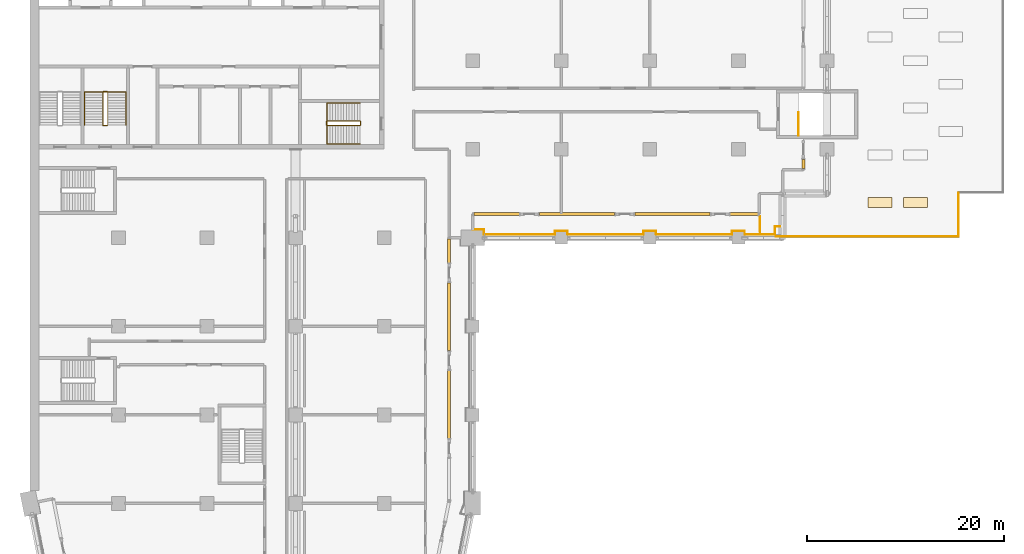
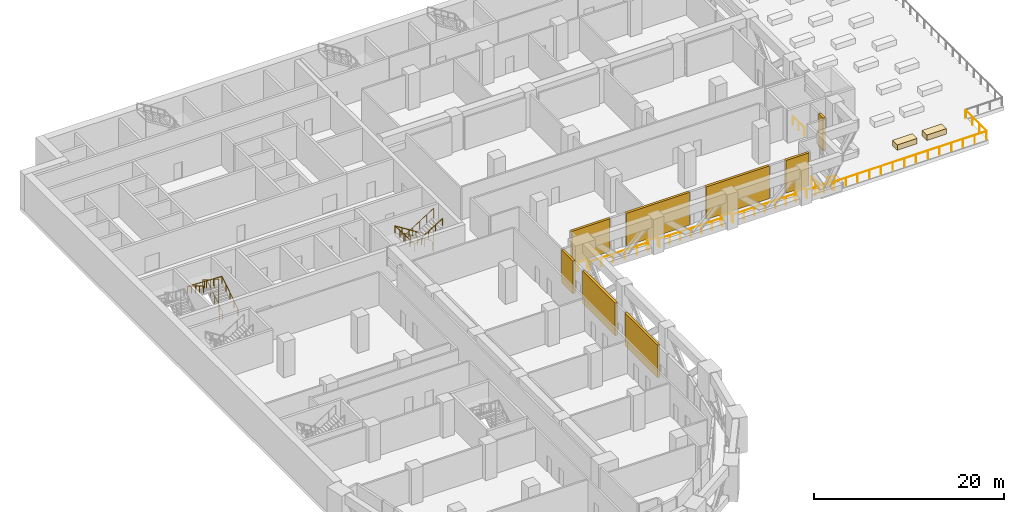
# One storey, part 22 of 24: 9 railings, 8 shading devices, 2 coverings.
"""IFC4 building model written with IfcOpenShell, lengths in metres."""

from ifc_helpers import new_model, si_unit, direction, frame, origin, origin_2d, place, context, subcontext, project, spatial, polyline, rectangle, circle, outline, extrude, material, layer, layer_set, type_object, element, save


model = new_model("IFC4")

# Units and contexts
model_context = context("Model", 3, precision=1e-05, world=origin(), true_north=direction((0.0, 1.0)))
body_context = subcontext(model_context, "Body", "Model", "MODEL_VIEW")
ifc_project = project(units=[si_unit("LENGTHUNIT", "METRE"), si_unit("AREAUNIT", "SQUARE_METRE"), si_unit("VOLUMEUNIT", "CUBIC_METRE"), si_unit("PLANEANGLEUNIT", "RADIAN"), si_unit("MASSUNIT", "GRAM", prefix="KILO")], contexts=[model_context])

# Site, building, storey
site_placement = place(None, origin())
site = spatial("IfcSite", under=ifc_project, at=site_placement, CompositionType="ELEMENT")
building_placement = place(site_placement, origin())
building = spatial("IfcBuilding", under=site, at=building_placement, Name="Hunhe Ridgeline Campus", CompositionType="ELEMENT")
storey_placement = place(building_placement, frame((0.0, 0.0, 80.199951171875)))
storey = spatial("IfcBuildingStorey", under=building, at=storey_placement, Name="L19", CompositionType="ELEMENT", Elevation=80.199951171875)

# Railings
ifc_material_1 = material(Name="Steel Q355", Category="steel")
railing_type_1 = type_object("IfcRailingType", Name="Loggia guard 1100 Steel Q355", PredefinedType="GUARDRAIL", material=ifc_material_1)
railing_1_placement = place(storey_placement, frame((45.0, 54.820068359375, 0.0)))
element("IfcRailing", 1, at=railing_1_placement, inside=storey, type_object=railing_type_1, Name="Loggia guard 2", PredefinedType="GUARDRAIL", context=body_context, shape_type="SweptSolid", body=[
    extrude(circle(Radius=0.02392578125, at=origin_2d()), frame((0.0, 0.0, 1.076171875), z_axis=(1.0, 0.0, 0.0), x_axis=(0.0, 1.0, 0.0)), (0.0, 0.0, 1.0), 1.14990234375),
    extrude(circle(Radius=0.02392578125, at=origin_2d()), frame((1.14990234375, 0.0, 1.076171875), z_axis=(0.0, -1.0, 0.0), x_axis=(1.0, 0.0, 0.0)), (0.0, 0.0, 1.0), 0.469970703125),
    extrude(circle(Radius=0.02392578125, at=origin_2d()), frame((1.14990234375, -0.469970703125, 1.076171875), z_axis=(1.0, 0.0, 0.0), x_axis=(0.0, 1.0, 0.0)), (0.0, 0.0, 1.0), 7.2001953125),
    extrude(circle(Radius=0.02392578125, at=origin_2d()), frame((8.35009765625, -0.469970703125, 1.076171875), z_axis=(0.0, 1.0, 0.0), x_axis=(-1.0, 0.0, 0.0)), (0.0, 0.0, 1.0), 0.31982421875),
    extrude(circle(Radius=0.02392578125, at=origin_2d()), frame((8.35009765625, -0.150146484375, 1.076171875), z_axis=(1.0, 0.0, 0.0), x_axis=(0.0, 1.0, 0.0)), (0.0, 0.0, 1.0), 1.2998046875),
    extrude(circle(Radius=0.02392578125, at=origin_2d()), frame((9.64990234375, -0.150146484375, 1.076171875), z_axis=(0.0, -1.0, 0.0), x_axis=(1.0, 0.0, 0.0)), (0.0, 0.0, 1.0), 0.31982421875),
    extrude(circle(Radius=0.02392578125, at=origin_2d()), frame((9.64990234375, -0.469970703125, 1.076171875), z_axis=(1.0, 0.0, 0.0), x_axis=(0.0, 1.0, 0.0)), (0.0, 0.0, 1.0), 7.7001953125),
    extrude(circle(Radius=0.02392578125, at=origin_2d()), frame((17.35009765625, -0.469970703125, 1.076171875), z_axis=(0.0, 1.0, 0.0), x_axis=(-1.0, 0.0, 0.0)), (0.0, 0.0, 1.0), 0.31982421875),
    extrude(circle(Radius=0.02392578125, at=origin_2d()), frame((17.35009765625, -0.150146484375, 1.076171875), z_axis=(1.0, 0.0, 0.0), x_axis=(0.0, 1.0, 0.0)), (0.0, 0.0, 1.0), 1.2998046875),
    extrude(circle(Radius=0.02392578125, at=origin_2d()), frame((18.64990234375, -0.150146484375, 1.076171875), z_axis=(0.0, -1.0, 0.0), x_axis=(1.0, 0.0, 0.0)), (0.0, 0.0, 1.0), 0.31982421875),
    extrude(circle(Radius=0.02392578125, at=origin_2d()), frame((18.64990234375, -0.469970703125, 1.076171875), z_axis=(1.0, 0.0, 0.0), x_axis=(0.0, 1.0, 0.0)), (0.0, 0.0, 1.0), 7.7001953125),
    extrude(circle(Radius=0.02392578125, at=origin_2d()), frame((26.35009765625, -0.469970703125, 1.076171875), z_axis=(0.0, 1.0, 0.0), x_axis=(-1.0, 0.0, 0.0)), (0.0, 0.0, 1.0), 0.31982421875),
    extrude(circle(Radius=0.02392578125, at=origin_2d()), frame((26.35009765625, -0.150146484375, 1.076171875), z_axis=(1.0, 0.0, 0.0), x_axis=(0.0, 1.0, 0.0)), (0.0, 0.0, 1.0), 1.2998046875),
    extrude(circle(Radius=0.02392578125, at=origin_2d()), frame((27.64990234375, -0.150146484375, 1.076171875), z_axis=(0.0, -1.0, 0.0), x_axis=(1.0, 0.0, 0.0)), (0.0, 0.0, 1.0), 0.31982421875),
    extrude(circle(Radius=0.02392578125, at=origin_2d()), frame((27.64990234375, -0.469970703125, 1.076171875), z_axis=(1.0, 0.0, 0.0), x_axis=(0.0, 1.0, 0.0)), (0.0, 0.0, 1.0), 3.050048828125),
    extrude(circle(Radius=0.02392578125, at=origin_2d()), frame((30.699951171875, -0.469970703125, 1.076171875), z_axis=(0.0, 1.0, 0.0), x_axis=(-1.0, 0.0, 0.0)), (0.0, 0.0, 1.0), 0.81982421875),
    extrude(circle(Radius=0.02392578125, at=origin_2d()), frame((30.699951171875, 0.349853515625, 1.076171875), z_axis=(1.0, 0.0, 0.0), x_axis=(0.0, 1.0, 0.0)), (0.0, 0.0, 1.0), 0.800048828125),
    extrude(circle(Radius=0.02099609375, at=origin_2d()), origin(), (0.0, 0.0, 1.0), 1.052001953125),
    extrude(circle(Radius=0.02099609375, at=origin_2d()), frame((1.14990234375, 0.0, 0.0)), (0.0, 0.0, 1.0), 1.052001953125),
    extrude(circle(Radius=0.02099609375, at=origin_2d()), frame((1.14990234375, -0.469970703125, 0.0)), (0.0, 0.0, 1.0), 1.052001953125),
    extrude(circle(Radius=0.02099609375, at=origin_2d()), frame((2.58984375, -0.469970703125, 0.0)), (0.0, 0.0, 1.0), 1.052001953125),
    extrude(circle(Radius=0.02099609375, at=origin_2d()), frame((4.030029296875, -0.469970703125, 0.0)), (0.0, 0.0, 1.0), 1.052001953125),
    extrude(circle(Radius=0.02099609375, at=origin_2d()), frame((5.469970703125, -0.469970703125, 0.0)), (0.0, 0.0, 1.0), 1.052001953125),
    extrude(circle(Radius=0.02099609375, at=origin_2d()), frame((6.91015625, -0.469970703125, 0.0)), (0.0, 0.0, 1.0), 1.052001953125),
    extrude(circle(Radius=0.02099609375, at=origin_2d()), frame((8.35009765625, -0.469970703125, 0.0)), (0.0, 0.0, 1.0), 1.052001953125),
    extrude(circle(Radius=0.02099609375, at=origin_2d()), frame((8.35009765625, -0.150146484375, 0.0)), (0.0, 0.0, 1.0), 1.052001953125),
    extrude(circle(Radius=0.02099609375, at=origin_2d()), frame((9.64990234375, -0.150146484375, 0.0)), (0.0, 0.0, 1.0), 1.052001953125),
    extrude(circle(Radius=0.02099609375, at=origin_2d()), frame((9.64990234375, -0.469970703125, 0.0)), (0.0, 0.0, 1.0), 1.052001953125),
    extrude(circle(Radius=0.02099609375, at=origin_2d()), frame((10.933349609375, -0.469970703125, 0.0)), (0.0, 0.0, 1.0), 1.052001953125),
    extrude(circle(Radius=0.02099609375, at=origin_2d()), frame((12.216552734375, -0.469970703125, 0.0)), (0.0, 0.0, 1.0), 1.052001953125),
    extrude(circle(Radius=0.02099609375, at=origin_2d()), frame((13.5, -0.469970703125, 0.0)), (0.0, 0.0, 1.0), 1.052001953125),
    extrude(circle(Radius=0.02099609375, at=origin_2d()), frame((14.783447265625, -0.469970703125, 0.0)), (0.0, 0.0, 1.0), 1.052001953125),
    extrude(circle(Radius=0.02099609375, at=origin_2d()), frame((16.066650390625, -0.469970703125, 0.0)), (0.0, 0.0, 1.0), 1.052001953125),
    extrude(circle(Radius=0.02099609375, at=origin_2d()), frame((17.35009765625, -0.469970703125, 0.0)), (0.0, 0.0, 1.0), 1.052001953125),
    extrude(circle(Radius=0.02099609375, at=origin_2d()), frame((17.35009765625, -0.150146484375, 0.0)), (0.0, 0.0, 1.0), 1.052001953125),
    extrude(circle(Radius=0.02099609375, at=origin_2d()), frame((18.64990234375, -0.150146484375, 0.0)), (0.0, 0.0, 1.0), 1.052001953125),
    extrude(circle(Radius=0.02099609375, at=origin_2d()), frame((18.64990234375, -0.469970703125, 0.0)), (0.0, 0.0, 1.0), 1.052001953125),
    extrude(circle(Radius=0.02099609375, at=origin_2d()), frame((19.933349609375, -0.469970703125, 0.0)), (0.0, 0.0, 1.0), 1.052001953125),
    extrude(circle(Radius=0.02099609375, at=origin_2d()), frame((21.216552734375, -0.469970703125, 0.0)), (0.0, 0.0, 1.0), 1.052001953125),
    extrude(circle(Radius=0.02099609375, at=origin_2d()), frame((22.5, -0.469970703125, 0.0)), (0.0, 0.0, 1.0), 1.052001953125),
    extrude(circle(Radius=0.02099609375, at=origin_2d()), frame((23.783447265625, -0.469970703125, 0.0)), (0.0, 0.0, 1.0), 1.052001953125),
    extrude(circle(Radius=0.02099609375, at=origin_2d()), frame((25.066650390625, -0.469970703125, 0.0)), (0.0, 0.0, 1.0), 1.052001953125),
    extrude(circle(Radius=0.02099609375, at=origin_2d()), frame((26.35009765625, -0.469970703125, 0.0)), (0.0, 0.0, 1.0), 1.052001953125),
    extrude(circle(Radius=0.02099609375, at=origin_2d()), frame((26.35009765625, -0.150146484375, 0.0)), (0.0, 0.0, 1.0), 1.052001953125),
    extrude(circle(Radius=0.02099609375, at=origin_2d()), frame((27.64990234375, -0.150146484375, 0.0)), (0.0, 0.0, 1.0), 1.052001953125),
    extrude(circle(Radius=0.02099609375, at=origin_2d()), frame((27.64990234375, -0.469970703125, 0.0)), (0.0, 0.0, 1.0), 1.052001953125),
    extrude(circle(Radius=0.02099609375, at=origin_2d()), frame((28.66650390625, -0.469970703125, 0.0)), (0.0, 0.0, 1.0), 1.052001953125),
    extrude(circle(Radius=0.02099609375, at=origin_2d()), frame((29.683349609375, -0.469970703125, 0.0)), (0.0, 0.0, 1.0), 1.052001953125),
    extrude(circle(Radius=0.02099609375, at=origin_2d()), frame((30.699951171875, -0.469970703125, 0.0)), (0.0, 0.0, 1.0), 1.052001953125),
    extrude(circle(Radius=0.02099609375, at=origin_2d()), frame((30.699951171875, 0.349853515625, 0.0)), (0.0, 0.0, 1.0), 1.052001953125),
    extrude(circle(Radius=0.02099609375, at=origin_2d()), frame((31.5, 0.349853515625, 0.0)), (0.0, 0.0, 1.0), 1.052001953125),
])
railing_2_placement = place(storey_placement, frame((74.219970703125, 54.60009765625, 0.080078125)))
element("IfcRailing", 2, at=railing_2_placement, inside=storey, type_object=railing_type_1, Name="Terrace guard 1", PredefinedType="GUARDRAIL", context=body_context, shape_type="SweptSolid", body=[
    extrude(circle(Radius=0.02392578125, at=origin_2d()), frame((0.0, 0.0, 1.076171875), z_axis=(0.0, 1.0, 0.0), x_axis=(-1.0, 0.0, 0.0)), (0.0, 0.0, 1.0), 1.55078125),
    extrude(circle(Radius=0.02099609375, at=origin_2d()), origin(), (0.0, 0.0, 1.0), 1.052001953125),
    extrude(circle(Radius=0.02099609375, at=origin_2d()), frame((0.0, 0.775390625, 0.0)), (0.0, 0.0, 1.0), 1.052001953125),
    extrude(circle(Radius=0.02099609375, at=origin_2d()), frame((0.0, 1.55078125, 0.0)), (0.0, 0.0, 1.0), 1.052001953125),
])
railing_3_placement = place(storey_placement, frame((94.38037109375, 58.57958984375, 0.080078125)))
element("IfcRailing", 3, at=railing_3_placement, inside=storey, type_object=railing_type_1, Name="Terrace guard 7", PredefinedType="GUARDRAIL", context=body_context, shape_type="SweptSolid", body=[
    extrude(circle(Radius=0.02392578125, at=origin_2d()), frame((0.0, 0.0, 1.076171875), z_axis=(-0.000110478925, -0.999999993897, 0.0), x_axis=(0.999999993897, -0.000110478925, 0.0)), (0.0, 0.0, 1.0), 4.419677734375),
    extrude(circle(Radius=0.02099609375, at=origin_2d()), origin(), (0.0, 0.0, 1.0), 1.052001953125),
    extrude(circle(Radius=0.02099609375, at=origin_2d()), frame((-0.000244140625, -1.47314453125, 0.0)), (0.0, 0.0, 1.0), 1.052001953125),
    extrude(circle(Radius=0.02099609375, at=origin_2d()), frame((-0.000244140625, -2.946533203125, 0.0)), (0.0, 0.0, 1.0), 1.052001953125),
    extrude(circle(Radius=0.02099609375, at=origin_2d()), frame((-0.00048828125, -4.419677734375, 0.0)), (0.0, 0.0, 1.0), 1.052001953125),
])
railing_4_placement = place(storey_placement, frame((94.340087890625, 54.1201171875, 0.080078125)))
element("IfcRailing", 4, at=railing_4_placement, inside=storey, type_object=railing_type_1, Name="Terrace guard 8", PredefinedType="GUARDRAIL", context=body_context, shape_type="SweptSolid", body=[
    extrude(circle(Radius=0.02392578125, at=origin_2d()), frame((0.0, 0.0, 1.076171875), z_axis=(-1.0, 0.0, 0.0), x_axis=(0.0, -1.0, 0.0)), (0.0, 0.0, 1.0), 18.54248046875),
    extrude(circle(Radius=0.02099609375, at=origin_2d()), origin(), (0.0, 0.0, 1.0), 1.052001953125),
    extrude(circle(Radius=0.02099609375, at=origin_2d()), frame((-1.42626953125, 0.0, 0.0)), (0.0, 0.0, 1.0), 1.052001953125),
    extrude(circle(Radius=0.02099609375, at=origin_2d()), frame((-2.852783203125, 0.0, 0.0)), (0.0, 0.0, 1.0), 1.052001953125),
    extrude(circle(Radius=0.02099609375, at=origin_2d()), frame((-4.279052734375, 0.0, 0.0)), (0.0, 0.0, 1.0), 1.052001953125),
    extrude(circle(Radius=0.02099609375, at=origin_2d()), frame((-5.705322265625, 0.0, 0.0)), (0.0, 0.0, 1.0), 1.052001953125),
    extrude(circle(Radius=0.02099609375, at=origin_2d()), frame((-7.1318359375, 0.0, 0.0)), (0.0, 0.0, 1.0), 1.052001953125),
    extrude(circle(Radius=0.02099609375, at=origin_2d()), frame((-8.55810546875, 0.0, 0.0)), (0.0, 0.0, 1.0), 1.052001953125),
    extrude(circle(Radius=0.02099609375, at=origin_2d()), frame((-9.984375, 0.0, 0.0)), (0.0, 0.0, 1.0), 1.052001953125),
    extrude(circle(Radius=0.02099609375, at=origin_2d()), frame((-11.41064453125, 0.0, 0.0)), (0.0, 0.0, 1.0), 1.052001953125),
    extrude(circle(Radius=0.02099609375, at=origin_2d()), frame((-12.837158203125, 0.0, 0.0)), (0.0, 0.0, 1.0), 1.052001953125),
    extrude(circle(Radius=0.02099609375, at=origin_2d()), frame((-14.263427734375, 0.0, 0.0)), (0.0, 0.0, 1.0), 1.052001953125),
    extrude(circle(Radius=0.02099609375, at=origin_2d()), frame((-15.689697265625, 0.0, 0.0)), (0.0, 0.0, 1.0), 1.052001953125),
    extrude(circle(Radius=0.02099609375, at=origin_2d()), frame((-17.1162109375, 0.0, 0.0)), (0.0, 0.0, 1.0), 1.052001953125),
    extrude(circle(Radius=0.02099609375, at=origin_2d()), frame((-18.54248046875, 0.0, 0.0)), (0.0, 0.0, 1.0), 1.052001953125),
])

# Shading devices
ifc_material_2 = material(Name="Aluminium 6063", Category="aluminium")
ifc_layer = layer(ifc_material_2, 0.300048828125)
ifc_layer_set = layer_set([ifc_layer], Name="Louvre bank 300 Aluminium 6063")
shading_device_type = type_object("IfcShadingDeviceType", Name="Louvre bank 300 Aluminium 6063", PredefinedType="USERDEFINED", material=ifc_layer_set)
for number, where, z_axis, x_axis, name in (
    (5, (42.59912109375, 37.057861328125, 0.0), (0.0, 0.0, 1.0), (1.0952884e-05, 0.99999999994, 0.0), "Louvre bank 18"),
    (6, (42.59912109375, 45.979248046875, 0.0), (0.0, 0.0, 1.0), (1.0952884e-05, 0.99999999994, 0.0), "Louvre bank 19"),
):
    element("IfcShadingDevice", number, at=place(storey_placement, frame(where, z_axis=z_axis, x_axis=x_axis)), inside=storey, type_object=shading_device_type, Name=name, ObjectType="LOUVRE", PredefinedType="USERDEFINED", context=body_context, shape_type="SweptSolid", body=[
        extrude(rectangle(XDim=6.88134765625, YDim=0.300048828125, at=origin_2d()), origin(), (0.0, 0.0, 1.0), 4.199951171875),
    ])
shading_device_1_placement = place(storey_placement, frame((42.599365234375, 52.67041015625, 0.0), z_axis=(0.0, 0.0, 1.0), x_axis=(1.0899372e-05, 0.999999999941, 0.0)))
element("IfcShadingDevice", 7, at=shading_device_1_placement, inside=storey, type_object=shading_device_type, Name="Louvre bank 20", ObjectType="LOUVRE", PredefinedType="USERDEFINED", context=body_context, shape_type="SweptSolid", body=[
    extrude(rectangle(XDim=2.420654296875, YDim=0.300048828125, at=origin_2d()), origin(), (0.0, 0.0, 1.0), 4.199951171875),
])
shading_device_2_placement = place(storey_placement, frame((47.4248046875, 56.40087890625, 0.0), z_axis=(0.0, 0.0, 1.0), x_axis=(1.0, 2.06193e-07, 0.0)))
element("IfcShadingDevice", 8, at=shading_device_2_placement, inside=storey, type_object=shading_device_type, Name="Louvre bank 21", ObjectType="LOUVRE", PredefinedType="USERDEFINED", context=body_context, shape_type="SweptSolid", body=[
    extrude(rectangle(XDim=4.60986328125, YDim=0.300048828125, at=origin_2d()), origin(), (0.0, 0.0, 1.0), 4.199951171875),
])
for number, where, z_axis, x_axis, name in (
    (9, (55.599609375, 56.40087890625, 0.0), (0.0, 0.0, 1.0), (1.0, 2.53177e-07, 0.0), "Louvre bank 22"),
    (10, (65.29931640625, 56.40087890625, 0.0), (0.0, 0.0, 1.0), (1.0, 1.26589e-07, 0.0), "Louvre bank 23"),
):
    element("IfcShadingDevice", number, at=place(storey_placement, frame(where, z_axis=z_axis, x_axis=x_axis)), inside=storey, type_object=shading_device_type, Name=name, ObjectType="LOUVRE", PredefinedType="USERDEFINED", context=body_context, shape_type="SweptSolid", body=[
        extrude(rectangle(XDim=7.65966796875, YDim=0.300048828125, at=origin_2d()), origin(), (0.0, 0.0, 1.0), 4.199951171875),
    ])
shading_device_3_placement = place(storey_placement, frame((72.573974609375, 56.40087890625, 0.0), z_axis=(0.0, 0.0, 1.0), x_axis=(1.0, 3.27878e-07, 0.0)))
element("IfcShadingDevice", 11, at=shading_device_3_placement, inside=storey, type_object=shading_device_type, Name="Louvre bank 24", ObjectType="LOUVRE", PredefinedType="USERDEFINED", context=body_context, shape_type="SweptSolid", body=[
    extrude(rectangle(XDim=2.809814453125, YDim=0.300048828125, at=origin_2d()), origin(), (0.0, 0.0, 1.0), 4.199951171875),
])
shading_device_4_placement = place(storey_placement, frame((78.59912109375, 61.5009765625, 0.0), z_axis=(0.0, 0.0, 1.0), x_axis=(0.0, 1.0, 0.0)))
element("IfcShadingDevice", 12, at=shading_device_4_placement, inside=storey, type_object=shading_device_type, Name="Louvre bank 25", ObjectType="LOUVRE", PredefinedType="USERDEFINED", context=body_context, shape_type="SweptSolid", body=[
    extrude(rectangle(XDim=0.9599609375, YDim=0.300048828125, at=origin_2d()), origin(), (0.0, 0.0, 1.0), 4.199951171875),
])

# Coverings
ifc_material_3 = material(Name="Planting soil")
covering_type = type_object("IfcCoveringType", Name="Planter box 700 planting soil", PredefinedType="USERDEFINED", material=ifc_material_3)
covering_1_placement = place(storey_placement, frame((0.0, 0.0, 0.080078125)))
element("IfcCovering", 13, at=covering_1_placement, inside=storey, type_object=covering_type, Name="Planter 1", ObjectType="PLANTER", PredefinedType="USERDEFINED", context=body_context, shape_type="SweptSolid", body=[
    extrude(outline(polyline([(85.199951171875, 57.10009765625), (87.60009765625, 57.10009765625), (87.60009765625, 58.10009765625), (85.199951171875, 58.10009765625), (85.199951171875, 57.10009765625)])), origin(), (0.0, 0.0, 1.0), 0.699951171875),
])
covering_2_placement = place(storey_placement, frame((0.0, 0.0, 0.080078125)))
element("IfcCovering", 14, at=covering_2_placement, inside=storey, type_object=covering_type, Name="Planter 7", ObjectType="PLANTER", PredefinedType="USERDEFINED", context=body_context, shape_type="SweptSolid", body=[
    extrude(outline(polyline([(88.800048828125, 57.10009765625), (91.199951171875, 57.10009765625), (91.199951171875, 58.10009765625), (88.800048828125, 58.10009765625), (88.800048828125, 57.10009765625)])), origin(), (0.0, 0.0, 1.0), 0.699951171875),
])

# Railings
ifc_material_4 = material(Name="Stainless steel balustrade", Category="steel")
railing_type_2 = type_object("IfcRailingType", Name="Stair guard 1100 stainless", PredefinedType="GUARDRAIL", material=ifc_material_4)
railing_5_placement = place(storey_placement, frame((33.550048828125, 65.85009765625, 0.177001953125)))
element("IfcRailing", 15, at=railing_5_placement, inside=storey, type_object=railing_type_2, Name="L19 stair S2 guard", PredefinedType="GUARDRAIL", context=body_context, shape_type="SweptSolid", body=[
    extrude(circle(Radius=0.02392578125, at=origin_2d()), frame((0.0, 0.0, 1.076171875), z_axis=(-0.845389635667, 0.0, 0.534150132366), x_axis=(0.0, -1.0, 0.0)), (0.0, 0.0, 1.0), 3.974609375),
    extrude(circle(Radius=0.02392578125, at=origin_2d()), frame((-3.360107421875, 0.0, 3.19921875), z_axis=(-0.707106781187, -0.707106781187, 0.0), x_axis=(0.707106781187, -0.707106781187, 0.0)), (0.0, 0.0, 1.0), 0.07080078125),
    extrude(circle(Radius=0.02392578125, at=origin_2d()), frame((-3.41015625, -0.050048828125, 3.19921875), z_axis=(0.0, -1.0, 0.0), x_axis=(1.0, 0.0, 0.0)), (0.0, 0.0, 1.0), 0.35009765625),
    extrude(circle(Radius=0.02392578125, at=origin_2d()), frame((-3.41015625, -0.400146484375, 3.19921875), z_axis=(0.262545553595, -0.262545553595, 0.928514762713), x_axis=(0.707106781187, 0.707106781187, 0.0)), (0.0, 0.0, 1.0), 0.190673828125),
    extrude(circle(Radius=0.02392578125, at=origin_2d()), frame((-3.360107421875, -0.4501953125, 3.3759765625), z_axis=(0.845389635667, 0.0, 0.534150132366), x_axis=(0.0, 1.0, 0.0)), (0.0, 0.0, 1.0), 3.974609375),
    extrude(circle(Radius=0.02392578125, at=origin_2d()), frame((0.0, -0.4501953125, 5.4990234375), z_axis=(0.010878661383, 0.010878661383, -0.999881647723), x_axis=(-0.707106781187, 0.707106781187, 0.0)), (0.0, 0.0, 1.0), 4.6005859375),
    extrude(circle(Radius=0.02392578125, at=origin_2d()), frame((0.050048828125, -0.400146484375, 0.89892578125), z_axis=(0.0, 1.0, 0.0), x_axis=(-1.0, 0.0, 0.0)), (0.0, 0.0, 1.0), 0.35009765625),
    extrude(circle(Radius=0.02099609375, at=origin_2d()), origin(), (0.0, 0.0, 1.0), 1.052001953125),
    extrude(circle(Radius=0.02099609375, at=origin_2d()), frame((-0.840087890625, 0.0, 0.53076171875)), (0.0, 0.0, 1.0), 1.052001953125),
    extrude(circle(Radius=0.02099609375, at=origin_2d()), frame((-1.68017578125, 0.0, 1.0615234375)), (0.0, 0.0, 1.0), 1.052001953125),
    extrude(circle(Radius=0.02099609375, at=origin_2d()), frame((-2.52001953125, 0.0, 1.59228515625)), (0.0, 0.0, 1.0), 1.052001953125),
    extrude(circle(Radius=0.02099609375, at=origin_2d()), frame((-3.360107421875, 0.0, 2.123046875)), (0.0, 0.0, 1.0), 1.052001953125),
    extrude(circle(Radius=0.02099609375, at=origin_2d()), frame((-3.41015625, -0.050048828125, 2.123046875)), (0.0, 0.0, 1.0), 1.052001953125),
    extrude(circle(Radius=0.02099609375, at=origin_2d()), frame((-3.41015625, -0.400146484375, 2.123046875)), (0.0, 0.0, 1.0), 1.052001953125),
    extrude(circle(Radius=0.02099609375, at=origin_2d()), frame((-3.360107421875, -0.4501953125, 2.300048828125)), (0.0, 0.0, 1.0), 1.052001953125),
    extrude(circle(Radius=0.02099609375, at=origin_2d()), frame((-2.52001953125, -0.4501953125, 2.830810546875)), (0.0, 0.0, 1.0), 1.052001953125),
    extrude(circle(Radius=0.02099609375, at=origin_2d()), frame((-1.68017578125, -0.4501953125, 3.361572265625)), (0.0, 0.0, 1.0), 1.052001953125),
    extrude(circle(Radius=0.02099609375, at=origin_2d()), frame((-0.840087890625, -0.4501953125, 3.892333984375)), (0.0, 0.0, 1.0), 1.052001953125),
    extrude(circle(Radius=0.02099609375, at=origin_2d()), frame((0.0, -0.4501953125, 4.423095703125)), (0.0, 0.0, 1.0), 1.052001953125),
    extrude(circle(Radius=0.02099609375, at=origin_2d()), frame((0.012451171875, -0.437744140625, 3.27294921875)), (0.0, 0.0, 1.0), 1.052001953125),
    extrude(circle(Radius=0.02099609375, at=origin_2d()), frame((0.02490234375, -0.42529296875, 2.123046875)), (0.0, 0.0, 1.0), 1.052001953125),
    extrude(circle(Radius=0.02099609375, at=origin_2d()), frame((0.03759765625, -0.41259765625, 0.97314453125)), (0.0, 0.0, 1.0), 1.052001953125),
    extrude(circle(Radius=0.02099609375, at=origin_2d()), frame((0.050048828125, -0.400146484375, -0.177001953125)), (0.0, 0.0, 1.0), 1.052001953125),
    extrude(circle(Radius=0.02099609375, at=origin_2d()), frame((0.050048828125, -0.050048828125, -0.177001953125)), (0.0, 0.0, 1.0), 1.052001953125),
])
railing_6_placement = place(storey_placement, frame((7.89990234375, 65.449951171875, 0.177001953125)))
element("IfcRailing", 16, at=railing_6_placement, inside=storey, type_object=railing_type_2, Name="L19 stair S4 guard", PredefinedType="GUARDRAIL", context=body_context, shape_type="SweptSolid", body=[
    extrude(circle(Radius=0.02392578125, at=origin_2d()), frame((0.0, 0.0, 1.076171875), z_axis=(0.0, 0.845389635667, 0.534150132366), x_axis=(-1.0, 0.0, 0.0)), (0.0, 0.0, 1.0), 3.974609375),
    extrude(circle(Radius=0.02392578125, at=origin_2d()), frame((0.0, 3.360107421875, 3.19921875), z_axis=(-0.705375805398, 0.708833529934, 0.0), x_axis=(-0.708833529934, -0.705375805398, 0.0)), (0.0, 0.0, 1.0), 0.070556640625),
    extrude(circle(Radius=0.02392578125, at=origin_2d()), frame((-0.0498046875, 3.41015625, 3.19921875), z_axis=(-1.0, 0.0, 0.0), x_axis=(0.0, -1.0, 0.0)), (0.0, 0.0, 1.0), 0.400146484375),
    extrude(circle(Radius=0.02392578125, at=origin_2d()), frame((-0.449951171875, 3.41015625, 3.19921875), z_axis=(-0.262545553595, -0.262545553595, 0.928514762713), x_axis=(0.707106781187, -0.707106781187, 0.0)), (0.0, 0.0, 1.0), 0.190673828125),
    extrude(circle(Radius=0.02392578125, at=origin_2d()), frame((-0.5, 3.360107421875, 3.3759765625), z_axis=(0.0, -0.845389635667, 0.534150132366), x_axis=(1.0, 0.0, 0.0)), (0.0, 0.0, 1.0), 3.974609375),
    extrude(circle(Radius=0.02392578125, at=origin_2d()), frame((-0.5, 0.0, 5.4990234375), z_axis=(0.010878661383, -0.010878661383, -0.999881647723), x_axis=(0.707106781187, 0.707106781187, 0.0)), (0.0, 0.0, 1.0), 4.6005859375),
    extrude(circle(Radius=0.02392578125, at=origin_2d()), frame((-0.449951171875, -0.050048828125, 0.89892578125), z_axis=(1.0, 0.0, 0.0), x_axis=(0.0, 1.0, 0.0)), (0.0, 0.0, 1.0), 0.400146484375),
    extrude(circle(Radius=0.02099609375, at=origin_2d()), origin(), (0.0, 0.0, 1.0), 1.052001953125),
    extrude(circle(Radius=0.02099609375, at=origin_2d()), frame((0.0, 0.840087890625, 0.53076171875)), (0.0, 0.0, 1.0), 1.052001953125),
    extrude(circle(Radius=0.02099609375, at=origin_2d()), frame((0.0, 1.68017578125, 1.0615234375)), (0.0, 0.0, 1.0), 1.052001953125),
    extrude(circle(Radius=0.02099609375, at=origin_2d()), frame((0.0, 2.52001953125, 1.59228515625)), (0.0, 0.0, 1.0), 1.052001953125),
    extrude(circle(Radius=0.02099609375, at=origin_2d()), frame((0.0, 3.360107421875, 2.123046875)), (0.0, 0.0, 1.0), 1.052001953125),
    extrude(circle(Radius=0.02099609375, at=origin_2d()), frame((-0.0498046875, 3.41015625, 2.123046875)), (0.0, 0.0, 1.0), 1.052001953125),
    extrude(circle(Radius=0.02099609375, at=origin_2d()), frame((-0.449951171875, 3.41015625, 2.123046875)), (0.0, 0.0, 1.0), 1.052001953125),
    extrude(circle(Radius=0.02099609375, at=origin_2d()), frame((-0.5, 3.360107421875, 2.300048828125)), (0.0, 0.0, 1.0), 1.052001953125),
    extrude(circle(Radius=0.02099609375, at=origin_2d()), frame((-0.5, 2.52001953125, 2.830810546875)), (0.0, 0.0, 1.0), 1.052001953125),
    extrude(circle(Radius=0.02099609375, at=origin_2d()), frame((-0.5, 1.68017578125, 3.361572265625)), (0.0, 0.0, 1.0), 1.052001953125),
    extrude(circle(Radius=0.02099609375, at=origin_2d()), frame((-0.5, 0.840087890625, 3.892333984375)), (0.0, 0.0, 1.0), 1.052001953125),
    extrude(circle(Radius=0.02099609375, at=origin_2d()), frame((-0.5, 0.0, 4.423095703125)), (0.0, 0.0, 1.0), 1.052001953125),
    extrude(circle(Radius=0.02099609375, at=origin_2d()), frame((-0.487548828125, -0.012451171875, 3.27294921875)), (0.0, 0.0, 1.0), 1.052001953125),
    extrude(circle(Radius=0.02099609375, at=origin_2d()), frame((-0.47509765625, -0.02490234375, 2.123046875)), (0.0, 0.0, 1.0), 1.052001953125),
    extrude(circle(Radius=0.02099609375, at=origin_2d()), frame((-0.46240234375, -0.03759765625, 0.97314453125)), (0.0, 0.0, 1.0), 1.052001953125),
    extrude(circle(Radius=0.02099609375, at=origin_2d()), frame((-0.449951171875, -0.050048828125, -0.177001953125)), (0.0, 0.0, 1.0), 1.052001953125),
    extrude(circle(Radius=0.02099609375, at=origin_2d()), frame((-0.0498046875, -0.050048828125, -0.177001953125)), (0.0, 0.0, 1.0), 1.052001953125),
])
railing_7_placement = place(storey_placement, frame((78.10009765625, 64.39990234375, 0.0)))
element("IfcRailing", 17, at=railing_7_placement, inside=storey, type_object=railing_type_2, Name="L19 stair E5 top guard 1", PredefinedType="GUARDRAIL", context=body_context, shape_type="SweptSolid", body=[
    extrude(circle(Radius=0.02392578125, at=origin_2d()), frame((0.0, 0.0, 1.076171875), z_axis=(0.0, 1.0, 0.0), x_axis=(-1.0, 0.0, 0.0)), (0.0, 0.0, 1.0), 2.35009765625),
    extrude(circle(Radius=0.02099609375, at=origin_2d()), origin(), (0.0, 0.0, 1.0), 1.052001953125),
    extrude(circle(Radius=0.02099609375, at=origin_2d()), frame((0.0, 1.175048828125, 0.0)), (0.0, 0.0, 1.0), 1.052001953125),
    extrude(circle(Radius=0.02099609375, at=origin_2d()), frame((0.0, 2.35009765625, 0.0)), (0.0, 0.0, 1.0), 1.052001953125),
])
ifc_material_5 = material(Name="Stainless steel handrail", Category="steel")
railing_type_3 = type_object("IfcRailingType", Name="Stair handrail 900 stainless", PredefinedType="HANDRAIL", material=ifc_material_5)
railing_8_placement = place(storey_placement, frame((33.550048828125, 67.699951171875, 0.177001953125)))
element("IfcRailing", 18, at=railing_8_placement, inside=storey, type_object=railing_type_3, Name="L19 stair S2 handrail", PredefinedType="HANDRAIL", context=body_context, shape_type="SweptSolid", body=[
    extrude(circle(Radius=0.02392578125, at=origin_2d()), frame((0.0, 0.0, 0.8759765625), z_axis=(-0.845389635667, 0.0, 0.534150132366), x_axis=(0.0, -1.0, 0.0)), (0.0, 0.0, 1.0), 3.974609375),
    extrude(circle(Radius=0.02392578125, at=origin_2d()), frame((-3.360107421875, 0.0, 2.9990234375), z_axis=(0.0, -0.999091639355, 0.042613333247), x_axis=(1.0, 0.0, 0.0)), (0.0, 0.0, 1.0), 4.153564453125),
    extrude(circle(Radius=0.02392578125, at=origin_2d()), frame((-3.360107421875, -4.14990234375, 3.17578125), z_axis=(0.845389635667, 0.0, 0.534150132366), x_axis=(0.0, 1.0, 0.0)), (0.0, 0.0, 1.0), 3.974609375),
    extrude(circle(Radius=0.02099609375, at=origin_2d()), origin(), (0.0, 0.0, 1.0), 0.851806640625),
    extrude(circle(Radius=0.02099609375, at=origin_2d()), frame((-0.840087890625, 0.0, 0.53076171875)), (0.0, 0.0, 1.0), 0.851806640625),
    extrude(circle(Radius=0.02099609375, at=origin_2d()), frame((-1.68017578125, 0.0, 1.0615234375)), (0.0, 0.0, 1.0), 0.851806640625),
    extrude(circle(Radius=0.02099609375, at=origin_2d()), frame((-2.52001953125, 0.0, 1.59228515625)), (0.0, 0.0, 1.0), 0.851806640625),
    extrude(circle(Radius=0.02099609375, at=origin_2d()), frame((-3.360107421875, 0.0, 2.123046875)), (0.0, 0.0, 1.0), 0.851806640625),
    extrude(circle(Radius=0.02099609375, at=origin_2d()), frame((-3.360107421875, -1.03759765625, 2.167236328125)), (0.0, 0.0, 1.0), 0.851806640625),
    extrude(circle(Radius=0.02099609375, at=origin_2d()), frame((-3.360107421875, -2.074951171875, 2.21142578125)), (0.0, 0.0, 1.0), 0.851806640625),
    extrude(circle(Radius=0.02099609375, at=origin_2d()), frame((-3.360107421875, -3.1123046875, 2.255859375)), (0.0, 0.0, 1.0), 0.851806640625),
    extrude(circle(Radius=0.02099609375, at=origin_2d()), frame((-3.360107421875, -4.14990234375, 2.300048828125)), (0.0, 0.0, 1.0), 0.851806640625),
    extrude(circle(Radius=0.02099609375, at=origin_2d()), frame((-2.52001953125, -4.14990234375, 2.830810546875)), (0.0, 0.0, 1.0), 0.851806640625),
    extrude(circle(Radius=0.02099609375, at=origin_2d()), frame((-1.68017578125, -4.14990234375, 3.361572265625)), (0.0, 0.0, 1.0), 0.851806640625),
    extrude(circle(Radius=0.02099609375, at=origin_2d()), frame((-0.840087890625, -4.14990234375, 3.892333984375)), (0.0, 0.0, 1.0), 0.851806640625),
    extrude(circle(Radius=0.02099609375, at=origin_2d()), frame((0.0, -4.14990234375, 4.423095703125)), (0.0, 0.0, 1.0), 0.851806640625),
])
railing_9_placement = place(storey_placement, frame((9.75, 65.449951171875, 0.177001953125)))
element("IfcRailing", 19, at=railing_9_placement, inside=storey, type_object=railing_type_3, Name="L19 stair S4 handrail", PredefinedType="HANDRAIL", context=body_context, shape_type="SweptSolid", body=[
    extrude(circle(Radius=0.02392578125, at=origin_2d()), frame((0.0, 0.0, 0.8759765625), z_axis=(0.0, 0.845389635667, 0.534150132366), x_axis=(-1.0, 0.0, 0.0)), (0.0, 0.0, 1.0), 3.974609375),
    extrude(circle(Radius=0.02392578125, at=origin_2d()), frame((0.0, 3.360107421875, 2.9990234375), z_axis=(-0.999113130752, 0.0, 0.042106436075), x_axis=(0.0, -1.0, 0.0)), (0.0, 0.0, 1.0), 4.20361328125),
    extrude(circle(Radius=0.02392578125, at=origin_2d()), frame((-4.199951171875, 3.360107421875, 3.17578125), z_axis=(0.0, -0.845389635667, 0.534150132366), x_axis=(1.0, 0.0, 0.0)), (0.0, 0.0, 1.0), 3.974609375),
    extrude(circle(Radius=0.02099609375, at=origin_2d()), origin(), (0.0, 0.0, 1.0), 0.851806640625),
    extrude(circle(Radius=0.02099609375, at=origin_2d()), frame((0.0, 0.840087890625, 0.53076171875)), (0.0, 0.0, 1.0), 0.851806640625),
    extrude(circle(Radius=0.02099609375, at=origin_2d()), frame((0.0, 1.68017578125, 1.0615234375)), (0.0, 0.0, 1.0), 0.851806640625),
    extrude(circle(Radius=0.02099609375, at=origin_2d()), frame((0.0, 2.52001953125, 1.59228515625)), (0.0, 0.0, 1.0), 0.851806640625),
    extrude(circle(Radius=0.02099609375, at=origin_2d()), frame((0.0, 3.360107421875, 2.123046875)), (0.0, 0.0, 1.0), 0.851806640625),
    extrude(circle(Radius=0.02099609375, at=origin_2d()), frame((-1.050048828125, 3.360107421875, 2.167236328125)), (0.0, 0.0, 1.0), 0.851806640625),
    extrude(circle(Radius=0.02099609375, at=origin_2d()), frame((-2.10009765625, 3.360107421875, 2.21142578125)), (0.0, 0.0, 1.0), 0.851806640625),
    extrude(circle(Radius=0.02099609375, at=origin_2d()), frame((-3.14990234375, 3.360107421875, 2.255859375)), (0.0, 0.0, 1.0), 0.851806640625),
    extrude(circle(Radius=0.02099609375, at=origin_2d()), frame((-4.199951171875, 3.360107421875, 2.300048828125)), (0.0, 0.0, 1.0), 0.851806640625),
    extrude(circle(Radius=0.02099609375, at=origin_2d()), frame((-4.199951171875, 2.52001953125, 2.830810546875)), (0.0, 0.0, 1.0), 0.851806640625),
    extrude(circle(Radius=0.02099609375, at=origin_2d()), frame((-4.199951171875, 1.68017578125, 3.361572265625)), (0.0, 0.0, 1.0), 0.851806640625),
    extrude(circle(Radius=0.02099609375, at=origin_2d()), frame((-4.199951171875, 0.840087890625, 3.892333984375)), (0.0, 0.0, 1.0), 0.851806640625),
    extrude(circle(Radius=0.02099609375, at=origin_2d()), frame((-4.199951171875, 0.0, 4.423095703125)), (0.0, 0.0, 1.0), 0.851806640625),
])

save(model, "model.ifc")
